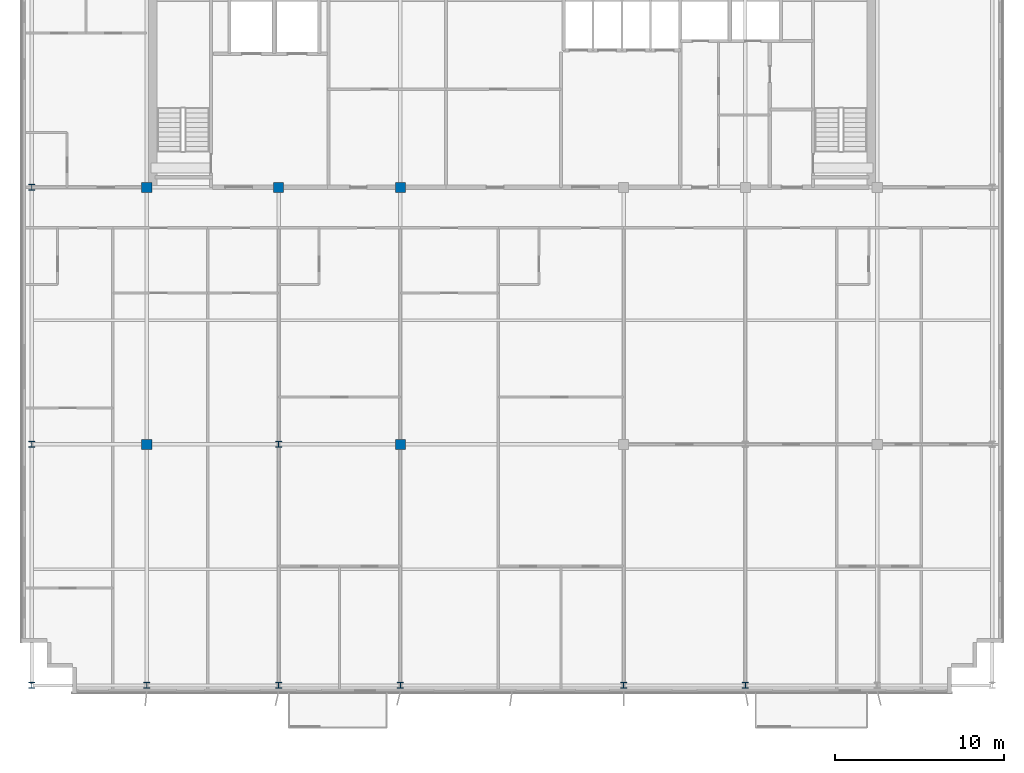
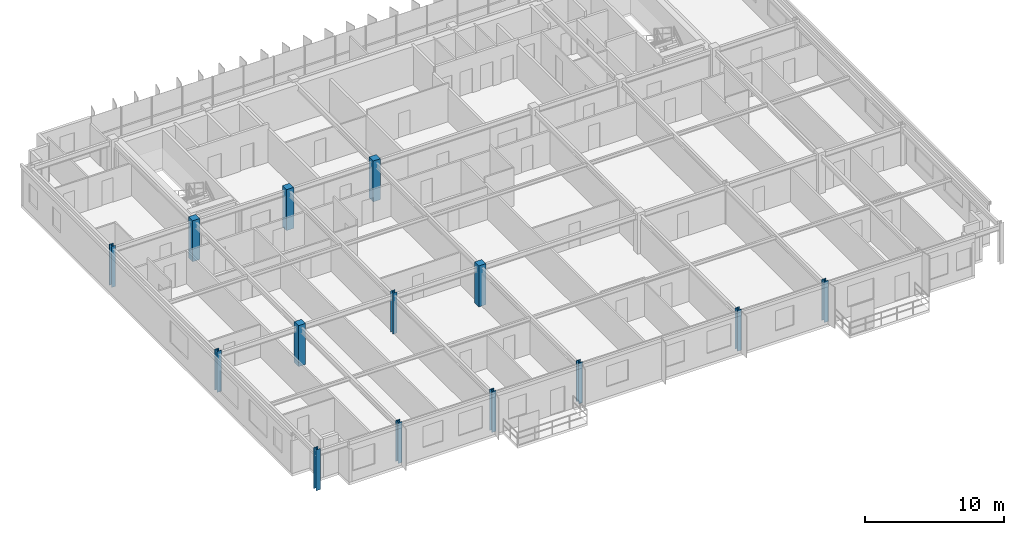
# One storey, part 1 of 23: 14 columns.
"""IFC4 building model written with IfcOpenShell, lengths in metres."""

from ifc_helpers import new_model, si_unit, direction, frame, origin, origin_2d, place, context, subcontext, project, spatial, rectangle, i_section, extrude, source, transform, mapped, material, material_profile, profile_set, type_object, element, save


model = new_model("IFC4")

# Units and contexts
model_context = context("Model", 3, precision=1e-05, world=origin(), true_north=direction((0.0, 1.0)))
body_context = subcontext(model_context, "Body", "Model", "MODEL_VIEW")
ifc_project = project(units=[si_unit("LENGTHUNIT", "METRE"), si_unit("AREAUNIT", "SQUARE_METRE"), si_unit("VOLUMEUNIT", "CUBIC_METRE"), si_unit("PLANEANGLEUNIT", "RADIAN"), si_unit("MASSUNIT", "GRAM", prefix="KILO")], contexts=[model_context])

# Site, building, storey
site_placement = place(None, origin())
site = spatial("IfcSite", under=ifc_project, at=site_placement, CompositionType="ELEMENT")
building_placement = place(site_placement, origin())
building = spatial("IfcBuilding", under=site, at=building_placement, Name="Trelvane Seafront Commons", CompositionType="ELEMENT")
storey_placement = place(building_placement, frame((0.0, 0.0, 263.10009765625)))
storey = spatial("IfcBuildingStorey", under=building, at=storey_placement, Name="L68", CompositionType="ELEMENT", Elevation=263.10009765625)

# Columns
ifc_material_1 = material(Name="Steel SM355 (S355)", Category="steel")
ifc_material_profile_1 = material_profile(ifc_material_1, i_section(OverallWidth=0.35009765625, OverallDepth=0.35009765625, WebThickness=0.01806640625, FlangeThickness=0.028076171875, at=origin_2d()), Name="HD-350x350x18x28")
ifc_profile_set_1 = profile_set([ifc_material_profile_1], Name="Steel SM355 (S355)")
column_type_1 = type_object("IfcColumnType", Name="STR-COL-HD350", PredefinedType="COLUMN", material=ifc_profile_set_1)
shared_shape_1 = source(origin(), body_context, "Body", "SweptSolid", [
    extrude(i_section(OverallWidth=0.35009765625, OverallDepth=0.35009765625, WebThickness=0.01806640625, FlangeThickness=0.028076171875, at=origin_2d()), origin(), (0.0, 0.0, 1.0), 3.599853515625),
])
for number, where, z_axis, x_axis, name in (
    (1, (8.800048828125, 3.949951171875, 0.0), (0.0, 0.0, 1.0), (1.0, 0.0, 0.0), "L68 Column TC-S8.8"),
    (2, (8.800048828125, 18.199951171875, 0.0), (0.0, 0.0, 1.0), (1.0, 0.0, 0.0), "L68 Column TC-M8.8"),
    (3, (8.800048828125, 33.39990234375, 0.0), (0.0, 0.0, 1.0), (1.0, 0.0, 0.0), "L68 Column TC-CS8.8"),
    (4, (15.60009765625, 3.949951171875, 0.0), (0.0, 0.0, 1.0), (1.0, 0.0, 0.0), "L68 Column TC-S15.6"),
    (5, (23.39990234375, 3.949951171875, 0.0), (0.0, 0.0, 1.0), (1.0, 0.0, 0.0), "L68 Column TC-S23.4"),
    (6, (23.39990234375, 18.199951171875, 0.0), (0.0, 0.0, 1.0), (1.0, 0.0, 0.0), "L68 Column TC-M23.4"),
    (7, (30.60009765625, 3.949951171875, 0.0), (0.0, 0.0, 1.0), (1.0, 0.0, 0.0), "L68 Column TC-S30.6"),
    (8, (43.800048828125, 3.949951171875, 0.0), (0.0, 0.0, 1.0), (1.0, 0.0, 0.0), "L68 Column TC-S43.8"),
    (9, (51.0, 3.949951171875, 0.0), (0.0, 0.0, 1.0), (1.0, 0.0, 0.0), "L68 Column TC-S51.0"),
):
    element("IfcColumn", number, at=place(storey_placement, frame(where, z_axis=z_axis, x_axis=x_axis)), inside=storey, type_object=column_type_1, Name=name, PredefinedType="COLUMN", context=body_context, shape_type="MappedRepresentation", body=[
        mapped(shared_shape_1, transform((0.0, 0.0, 0.0), x_axis=(1.0, 0.0, 0.0), y_axis=(0.0, 1.0, 0.0), z_axis=(0.0, 0.0, 1.0), scale=1.0)),
    ])
ifc_material_2 = material(Name="Concrete C50/60", Category="concrete")
ifc_material_profile_2 = material_profile(ifc_material_2, rectangle(XDim=0.60009765625, YDim=0.60009765625, at=origin_2d()), Name="RC-600x600")
ifc_profile_set_2 = profile_set([ifc_material_profile_2], Name="Concrete C50/60")
column_type_2 = type_object("IfcColumnType", Name="STR-COL-RC600", PredefinedType="COLUMN", material=ifc_profile_set_2)
shared_shape_2 = source(origin(), body_context, "Body", "SweptSolid", [
    extrude(rectangle(XDim=0.60009765625, YDim=0.60009765625, at=origin_2d()), origin(), (0.0, 0.0, 1.0), 3.599853515625),
])
for number, where, z_axis, x_axis, name in (
    (10, (15.60009765625, 18.199951171875, 0.0), (0.0, 0.0, 1.0), (1.0, 0.0, 0.0), "L68 Column TC-M15.6"),
    (11, (15.60009765625, 33.39990234375, 0.0), (0.0, 0.0, 1.0), (1.0, 0.0, 0.0), "L68 Column TC-CS15.6"),
    (12, (23.39990234375, 33.39990234375, 0.0), (0.0, 0.0, 1.0), (1.0, 0.0, 0.0), "L68 Column TC-CS23.4"),
    (13, (30.60009765625, 18.199951171875, 0.0), (0.0, 0.0, 1.0), (1.0, 0.0, 0.0), "L68 Column TC-M30.6"),
    (14, (30.60009765625, 33.39990234375, 0.0), (0.0, 0.0, 1.0), (1.0, 0.0, 0.0), "L68 Column TC-CS30.6"),
):
    element("IfcColumn", number, at=place(storey_placement, frame(where, z_axis=z_axis, x_axis=x_axis)), inside=storey, type_object=column_type_2, Name=name, PredefinedType="COLUMN", context=body_context, shape_type="MappedRepresentation", body=[
        mapped(shared_shape_2, transform((0.0, 0.0, 0.0), x_axis=(1.0, 0.0, 0.0), y_axis=(0.0, 1.0, 0.0), z_axis=(0.0, 0.0, 1.0), scale=1.0)),
    ])

save(model, "model.ifc")
